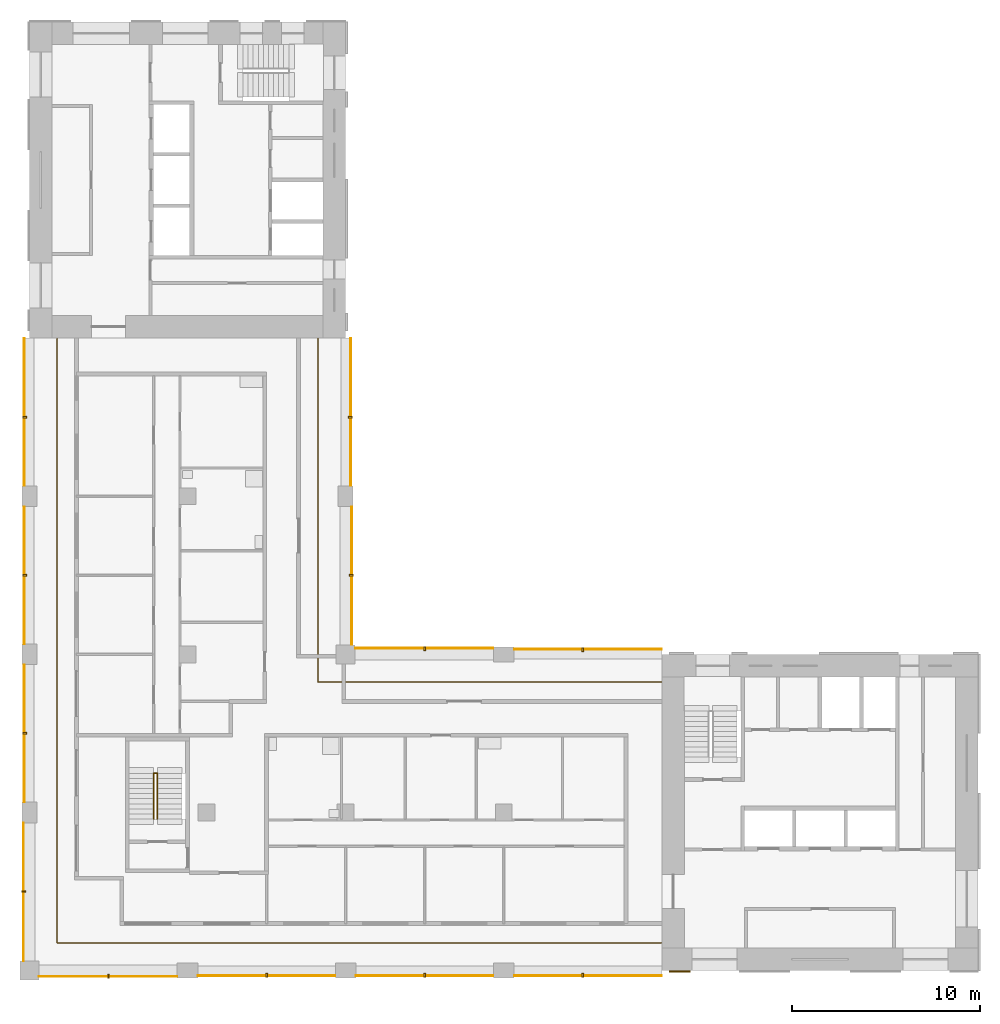
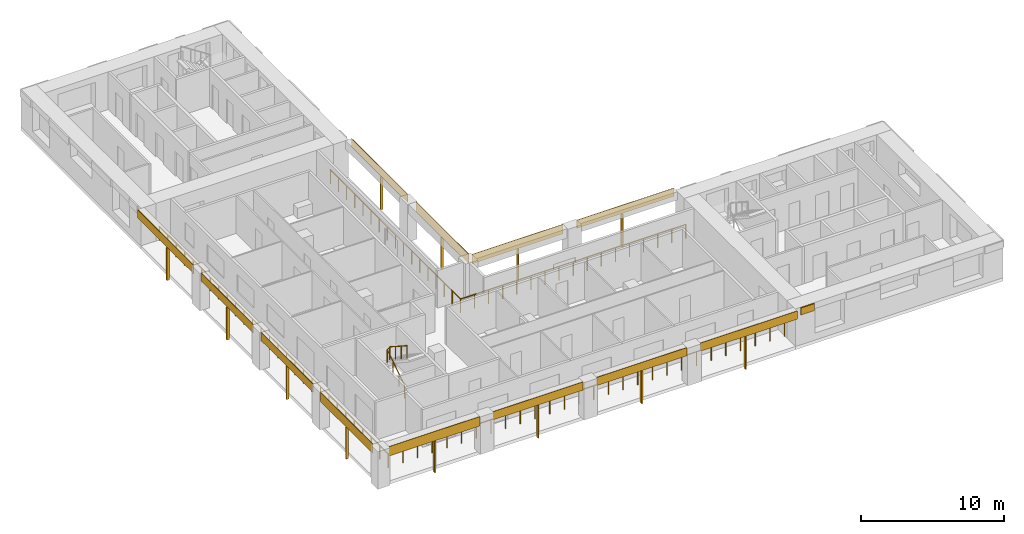
# One storey, part 7 of 9: 25 shading devices, 3 railings.
"""IFC4 building model written with IfcOpenShell, lengths in metres."""

from ifc_helpers import new_model, si_unit, direction, frame, origin, origin_2d, place, context, subcontext, project, spatial, rectangle, circle, extrude, material, layer, layer_set, material_profile, profile_set, type_object, element, save


model = new_model("IFC4")

# Units and contexts
model_context = context("Model", 3, precision=1e-05, world=origin(), true_north=direction((0.0, 1.0)))
body_context = subcontext(model_context, "Body", "Model", "MODEL_VIEW")
ifc_project = project(units=[si_unit("LENGTHUNIT", "METRE"), si_unit("AREAUNIT", "SQUARE_METRE"), si_unit("VOLUMEUNIT", "CUBIC_METRE"), si_unit("PLANEANGLEUNIT", "RADIAN"), si_unit("MASSUNIT", "GRAM", prefix="KILO")], contexts=[model_context])

# Site, building, storey
site_placement = place(None, origin())
site = spatial("IfcSite", under=ifc_project, at=site_placement, CompositionType="ELEMENT")
building_placement = place(site_placement, origin())
building = spatial("IfcBuilding", under=site, at=building_placement, Name="Vermilion Gate Residences", CompositionType="ELEMENT")
storey_placement = place(building_placement, frame((0.0, 0.0, 245.699951171875)))
storey = spatial("IfcBuildingStorey", under=building, at=storey_placement, Name="L64", CompositionType="ELEMENT", Elevation=245.699951171875)

# Railings
ifc_material_1 = material(Name="Stainless steel and toughened glass", Category="steel")
railing_type_1 = type_object("IfcRailingType", Name="LOGGIA GUARD STEEL AND GLASS 1200", PredefinedType="GUARDRAIL", material=ifc_material_1)
railing_1_placement = place(storey_placement, frame((41.97802734375, 23.72509765625, 0.0)))
element("IfcRailing", 1, at=railing_1_placement, inside=storey, type_object=railing_type_1, Name="Loggia guard", PredefinedType="GUARDRAIL", context=body_context, shape_type="SweptSolid", body=[
    extrude(circle(Radius=0.030029296875, at=origin_2d()), frame((0.0, 0.0, 1.169921875), z_axis=(-1.0, 0.0, 0.0), x_axis=(0.0, -1.0, 0.0)), (0.0, 0.0, 1.0), 18.2529296875),
    extrude(circle(Radius=0.030029296875, at=origin_2d()), frame((-18.2529296875, 0.0, 1.169921875), z_axis=(0.0, 1.0, 0.0), x_axis=(-1.0, 0.0, 0.0)), (0.0, 0.0, 1.0), 18.2529296875),
    extrude(circle(Radius=0.02490234375, at=origin_2d()), origin(), (0.0, 0.0, 1.0), 1.139892578125),
    extrude(circle(Radius=0.02490234375, at=origin_2d()), frame((-1.140869140625, 0.0, 0.0)), (0.0, 0.0, 1.0), 1.139892578125),
    extrude(circle(Radius=0.02490234375, at=origin_2d()), frame((-2.28173828125, 0.0, 0.0)), (0.0, 0.0, 1.0), 1.139892578125),
    extrude(circle(Radius=0.02490234375, at=origin_2d()), frame((-3.42236328125, 0.0, 0.0)), (0.0, 0.0, 1.0), 1.139892578125),
    extrude(circle(Radius=0.02490234375, at=origin_2d()), frame((-4.563232421875, 0.0, 0.0)), (0.0, 0.0, 1.0), 1.139892578125),
    extrude(circle(Radius=0.02490234375, at=origin_2d()), frame((-5.7041015625, 0.0, 0.0)), (0.0, 0.0, 1.0), 1.139892578125),
    extrude(circle(Radius=0.02490234375, at=origin_2d()), frame((-6.8447265625, 0.0, 0.0)), (0.0, 0.0, 1.0), 1.139892578125),
    extrude(circle(Radius=0.02490234375, at=origin_2d()), frame((-7.985595703125, 0.0, 0.0)), (0.0, 0.0, 1.0), 1.139892578125),
    extrude(circle(Radius=0.02490234375, at=origin_2d()), frame((-9.12646484375, 0.0, 0.0)), (0.0, 0.0, 1.0), 1.139892578125),
    extrude(circle(Radius=0.02490234375, at=origin_2d()), frame((-10.267333984375, 0.0, 0.0)), (0.0, 0.0, 1.0), 1.139892578125),
    extrude(circle(Radius=0.02490234375, at=origin_2d()), frame((-11.408203125, 0.0, 0.0)), (0.0, 0.0, 1.0), 1.139892578125),
    extrude(circle(Radius=0.02490234375, at=origin_2d()), frame((-12.548828125, 0.0, 0.0)), (0.0, 0.0, 1.0), 1.139892578125),
    extrude(circle(Radius=0.02490234375, at=origin_2d()), frame((-13.689697265625, 0.0, 0.0)), (0.0, 0.0, 1.0), 1.139892578125),
    extrude(circle(Radius=0.02490234375, at=origin_2d()), frame((-14.83056640625, 0.0, 0.0)), (0.0, 0.0, 1.0), 1.139892578125),
    extrude(circle(Radius=0.02490234375, at=origin_2d()), frame((-15.97119140625, 0.0, 0.0)), (0.0, 0.0, 1.0), 1.139892578125),
    extrude(circle(Radius=0.02490234375, at=origin_2d()), frame((-17.112060546875, 0.0, 0.0)), (0.0, 0.0, 1.0), 1.139892578125),
    extrude(circle(Radius=0.02490234375, at=origin_2d()), frame((-18.2529296875, 0.0, 0.0)), (0.0, 0.0, 1.0), 1.139892578125),
    extrude(circle(Radius=0.02490234375, at=origin_2d()), frame((-18.2529296875, 1.140869140625, 0.0)), (0.0, 0.0, 1.0), 1.139892578125),
    extrude(circle(Radius=0.02490234375, at=origin_2d()), frame((-18.2529296875, 2.28173828125, 0.0)), (0.0, 0.0, 1.0), 1.139892578125),
    extrude(circle(Radius=0.02490234375, at=origin_2d()), frame((-18.2529296875, 3.42236328125, 0.0)), (0.0, 0.0, 1.0), 1.139892578125),
    extrude(circle(Radius=0.02490234375, at=origin_2d()), frame((-18.2529296875, 4.563232421875, 0.0)), (0.0, 0.0, 1.0), 1.139892578125),
    extrude(circle(Radius=0.02490234375, at=origin_2d()), frame((-18.2529296875, 5.7041015625, 0.0)), (0.0, 0.0, 1.0), 1.139892578125),
    extrude(circle(Radius=0.02490234375, at=origin_2d()), frame((-18.2529296875, 6.8447265625, 0.0)), (0.0, 0.0, 1.0), 1.139892578125),
    extrude(circle(Radius=0.02490234375, at=origin_2d()), frame((-18.2529296875, 7.985595703125, 0.0)), (0.0, 0.0, 1.0), 1.139892578125),
    extrude(circle(Radius=0.02490234375, at=origin_2d()), frame((-18.2529296875, 9.12646484375, 0.0)), (0.0, 0.0, 1.0), 1.139892578125),
    extrude(circle(Radius=0.02490234375, at=origin_2d()), frame((-18.2529296875, 10.267333984375, 0.0)), (0.0, 0.0, 1.0), 1.139892578125),
    extrude(circle(Radius=0.02490234375, at=origin_2d()), frame((-18.2529296875, 11.408203125, 0.0)), (0.0, 0.0, 1.0), 1.139892578125),
    extrude(circle(Radius=0.02490234375, at=origin_2d()), frame((-18.2529296875, 12.548828125, 0.0)), (0.0, 0.0, 1.0), 1.139892578125),
    extrude(circle(Radius=0.02490234375, at=origin_2d()), frame((-18.2529296875, 13.689697265625, 0.0)), (0.0, 0.0, 1.0), 1.139892578125),
    extrude(circle(Radius=0.02490234375, at=origin_2d()), frame((-18.2529296875, 14.83056640625, 0.0)), (0.0, 0.0, 1.0), 1.139892578125),
    extrude(circle(Radius=0.02490234375, at=origin_2d()), frame((-18.2529296875, 15.97119140625, 0.0)), (0.0, 0.0, 1.0), 1.139892578125),
    extrude(circle(Radius=0.02490234375, at=origin_2d()), frame((-18.2529296875, 17.112060546875, 0.0)), (0.0, 0.0, 1.0), 1.139892578125),
    extrude(circle(Radius=0.02490234375, at=origin_2d()), frame((-18.2529296875, 18.2529296875, 0.0)), (0.0, 0.0, 1.0), 1.139892578125),
])
railing_2_placement = place(storey_placement, frame((9.875, 41.97802734375, 0.0)))
element("IfcRailing", 2, at=railing_2_placement, inside=storey, type_object=railing_type_1, Name="Loggia guard", PredefinedType="GUARDRAIL", context=body_context, shape_type="SweptSolid", body=[
    extrude(circle(Radius=0.030029296875, at=origin_2d()), frame((0.0, 0.0, 1.169921875), z_axis=(0.0, -1.0, 0.0), x_axis=(1.0, 0.0, 0.0)), (0.0, 0.0, 1.0), 32.10302734375),
    extrude(circle(Radius=0.030029296875, at=origin_2d()), frame((0.0, -32.10302734375, 1.169921875), z_axis=(1.0, 0.0, 0.0), x_axis=(0.0, 1.0, 0.0)), (0.0, 0.0, 1.0), 32.10302734375),
    extrude(circle(Radius=0.02490234375, at=origin_2d()), origin(), (0.0, 0.0, 1.0), 1.139892578125),
    extrude(circle(Radius=0.02490234375, at=origin_2d()), frame((0.0, -1.18896484375, 0.0)), (0.0, 0.0, 1.0), 1.139892578125),
    extrude(circle(Radius=0.02490234375, at=origin_2d()), frame((0.0, -2.3779296875, 0.0)), (0.0, 0.0, 1.0), 1.139892578125),
    extrude(circle(Radius=0.02490234375, at=origin_2d()), frame((0.0, -3.56689453125, 0.0)), (0.0, 0.0, 1.0), 1.139892578125),
    extrude(circle(Radius=0.02490234375, at=origin_2d()), frame((0.0, -4.756103515625, 0.0)), (0.0, 0.0, 1.0), 1.139892578125),
    extrude(circle(Radius=0.02490234375, at=origin_2d()), frame((0.0, -5.945068359375, 0.0)), (0.0, 0.0, 1.0), 1.139892578125),
    extrude(circle(Radius=0.02490234375, at=origin_2d()), frame((0.0, -7.134033203125, 0.0)), (0.0, 0.0, 1.0), 1.139892578125),
    extrude(circle(Radius=0.02490234375, at=origin_2d()), frame((0.0, -8.322998046875, 0.0)), (0.0, 0.0, 1.0), 1.139892578125),
    extrude(circle(Radius=0.02490234375, at=origin_2d()), frame((0.0, -9.511962890625, 0.0)), (0.0, 0.0, 1.0), 1.139892578125),
    extrude(circle(Radius=0.02490234375, at=origin_2d()), frame((0.0, -10.700927734375, 0.0)), (0.0, 0.0, 1.0), 1.139892578125),
    extrude(circle(Radius=0.02490234375, at=origin_2d()), frame((0.0, -11.889892578125, 0.0)), (0.0, 0.0, 1.0), 1.139892578125),
    extrude(circle(Radius=0.02490234375, at=origin_2d()), frame((0.0, -13.0791015625, 0.0)), (0.0, 0.0, 1.0), 1.139892578125),
    extrude(circle(Radius=0.02490234375, at=origin_2d()), frame((0.0, -14.26806640625, 0.0)), (0.0, 0.0, 1.0), 1.139892578125),
    extrude(circle(Radius=0.02490234375, at=origin_2d()), frame((0.0, -15.45703125, 0.0)), (0.0, 0.0, 1.0), 1.139892578125),
    extrude(circle(Radius=0.02490234375, at=origin_2d()), frame((0.0, -16.64599609375, 0.0)), (0.0, 0.0, 1.0), 1.139892578125),
    extrude(circle(Radius=0.02490234375, at=origin_2d()), frame((0.0, -17.8349609375, 0.0)), (0.0, 0.0, 1.0), 1.139892578125),
    extrude(circle(Radius=0.02490234375, at=origin_2d()), frame((0.0, -19.02392578125, 0.0)), (0.0, 0.0, 1.0), 1.139892578125),
    extrude(circle(Radius=0.02490234375, at=origin_2d()), frame((0.0, -20.213134765625, 0.0)), (0.0, 0.0, 1.0), 1.139892578125),
    extrude(circle(Radius=0.02490234375, at=origin_2d()), frame((0.0, -21.402099609375, 0.0)), (0.0, 0.0, 1.0), 1.139892578125),
    extrude(circle(Radius=0.02490234375, at=origin_2d()), frame((0.0, -22.591064453125, 0.0)), (0.0, 0.0, 1.0), 1.139892578125),
    extrude(circle(Radius=0.02490234375, at=origin_2d()), frame((0.0, -23.780029296875, 0.0)), (0.0, 0.0, 1.0), 1.139892578125),
    extrude(circle(Radius=0.02490234375, at=origin_2d()), frame((0.0, -24.968994140625, 0.0)), (0.0, 0.0, 1.0), 1.139892578125),
    extrude(circle(Radius=0.02490234375, at=origin_2d()), frame((0.0, -26.157958984375, 0.0)), (0.0, 0.0, 1.0), 1.139892578125),
    extrude(circle(Radius=0.02490234375, at=origin_2d()), frame((0.0, -27.346923828125, 0.0)), (0.0, 0.0, 1.0), 1.139892578125),
    extrude(circle(Radius=0.02490234375, at=origin_2d()), frame((0.0, -28.5361328125, 0.0)), (0.0, 0.0, 1.0), 1.139892578125),
    extrude(circle(Radius=0.02490234375, at=origin_2d()), frame((0.0, -29.72509765625, 0.0)), (0.0, 0.0, 1.0), 1.139892578125),
    extrude(circle(Radius=0.02490234375, at=origin_2d()), frame((0.0, -30.9140625, 0.0)), (0.0, 0.0, 1.0), 1.139892578125),
    extrude(circle(Radius=0.02490234375, at=origin_2d()), frame((0.0, -32.10302734375, 0.0)), (0.0, 0.0, 1.0), 1.139892578125),
    extrude(circle(Radius=0.02490234375, at=origin_2d()), frame((1.18896484375, -32.10302734375, 0.0)), (0.0, 0.0, 1.0), 1.139892578125),
    extrude(circle(Radius=0.02490234375, at=origin_2d()), frame((2.3779296875, -32.10302734375, 0.0)), (0.0, 0.0, 1.0), 1.139892578125),
    extrude(circle(Radius=0.02490234375, at=origin_2d()), frame((3.56689453125, -32.10302734375, 0.0)), (0.0, 0.0, 1.0), 1.139892578125),
    extrude(circle(Radius=0.02490234375, at=origin_2d()), frame((4.756103515625, -32.10302734375, 0.0)), (0.0, 0.0, 1.0), 1.139892578125),
    extrude(circle(Radius=0.02490234375, at=origin_2d()), frame((5.945068359375, -32.10302734375, 0.0)), (0.0, 0.0, 1.0), 1.139892578125),
    extrude(circle(Radius=0.02490234375, at=origin_2d()), frame((7.134033203125, -32.10302734375, 0.0)), (0.0, 0.0, 1.0), 1.139892578125),
    extrude(circle(Radius=0.02490234375, at=origin_2d()), frame((8.322998046875, -32.10302734375, 0.0)), (0.0, 0.0, 1.0), 1.139892578125),
    extrude(circle(Radius=0.02490234375, at=origin_2d()), frame((9.511962890625, -32.10302734375, 0.0)), (0.0, 0.0, 1.0), 1.139892578125),
    extrude(circle(Radius=0.02490234375, at=origin_2d()), frame((10.700927734375, -32.10302734375, 0.0)), (0.0, 0.0, 1.0), 1.139892578125),
    extrude(circle(Radius=0.02490234375, at=origin_2d()), frame((11.889892578125, -32.10302734375, 0.0)), (0.0, 0.0, 1.0), 1.139892578125),
    extrude(circle(Radius=0.02490234375, at=origin_2d()), frame((13.0791015625, -32.10302734375, 0.0)), (0.0, 0.0, 1.0), 1.139892578125),
    extrude(circle(Radius=0.02490234375, at=origin_2d()), frame((14.26806640625, -32.10302734375, 0.0)), (0.0, 0.0, 1.0), 1.139892578125),
    extrude(circle(Radius=0.02490234375, at=origin_2d()), frame((15.45703125, -32.10302734375, 0.0)), (0.0, 0.0, 1.0), 1.139892578125),
    extrude(circle(Radius=0.02490234375, at=origin_2d()), frame((16.64599609375, -32.10302734375, 0.0)), (0.0, 0.0, 1.0), 1.139892578125),
    extrude(circle(Radius=0.02490234375, at=origin_2d()), frame((17.8349609375, -32.10302734375, 0.0)), (0.0, 0.0, 1.0), 1.139892578125),
    extrude(circle(Radius=0.02490234375, at=origin_2d()), frame((19.02392578125, -32.10302734375, 0.0)), (0.0, 0.0, 1.0), 1.139892578125),
    extrude(circle(Radius=0.02490234375, at=origin_2d()), frame((20.213134765625, -32.10302734375, 0.0)), (0.0, 0.0, 1.0), 1.139892578125),
    extrude(circle(Radius=0.02490234375, at=origin_2d()), frame((21.402099609375, -32.10302734375, 0.0)), (0.0, 0.0, 1.0), 1.139892578125),
    extrude(circle(Radius=0.02490234375, at=origin_2d()), frame((22.591064453125, -32.10302734375, 0.0)), (0.0, 0.0, 1.0), 1.139892578125),
    extrude(circle(Radius=0.02490234375, at=origin_2d()), frame((23.780029296875, -32.10302734375, 0.0)), (0.0, 0.0, 1.0), 1.139892578125),
    extrude(circle(Radius=0.02490234375, at=origin_2d()), frame((24.968994140625, -32.10302734375, 0.0)), (0.0, 0.0, 1.0), 1.139892578125),
    extrude(circle(Radius=0.02490234375, at=origin_2d()), frame((26.157958984375, -32.10302734375, 0.0)), (0.0, 0.0, 1.0), 1.139892578125),
    extrude(circle(Radius=0.02490234375, at=origin_2d()), frame((27.346923828125, -32.10302734375, 0.0)), (0.0, 0.0, 1.0), 1.139892578125),
    extrude(circle(Radius=0.02490234375, at=origin_2d()), frame((28.5361328125, -32.10302734375, 0.0)), (0.0, 0.0, 1.0), 1.139892578125),
    extrude(circle(Radius=0.02490234375, at=origin_2d()), frame((29.72509765625, -32.10302734375, 0.0)), (0.0, 0.0, 1.0), 1.139892578125),
    extrude(circle(Radius=0.02490234375, at=origin_2d()), frame((30.9140625, -32.10302734375, 0.0)), (0.0, 0.0, 1.0), 1.139892578125),
    extrude(circle(Radius=0.02490234375, at=origin_2d()), frame((32.10302734375, -32.10302734375, 0.0)), (0.0, 0.0, 1.0), 1.139892578125),
])

# Shading devices
ifc_material_2 = material(Name="Perforated terracotta", Category="masonry")
ifc_layer_1 = layer(ifc_material_2, 0.0400390625)
ifc_layer_set_1 = layer_set([ifc_layer_1], Name="PERFORATED TERRACOTTA SCREEN 40")
shading_device_type_1 = type_object("IfcShadingDeviceType", Name="PERFORATED TERRACOTTA SCREEN 40", PredefinedType="SHUTTER", material=ifc_layer_set_1)
shading_device_1_placement = place(storey_placement, frame((12.574951171875, 8.080078125, 2.419921875), z_axis=(0.0, 0.0, 1.0), x_axis=(1.0, 0.0, 0.0)))
element("IfcShadingDevice", 3, at=shading_device_1_placement, inside=storey, type_object=shading_device_type_1, Name="SCREEN", PredefinedType="SHUTTER", context=body_context, shape_type="SweptSolid", body=[
    extrude(rectangle(XDim=7.35009765625, YDim=0.0400390625, at=origin_2d()), origin(), (0.0, 0.0, 1.0), 0.800048828125),
])
for number, where, z_axis, x_axis, name in (
    (4, (21.0, 8.1298828125, 2.52001953125), (0.0, 0.0, 1.0), (1.0, 0.0, 0.0), "SCREEN"),
    (5, (29.39990234375, 8.1298828125, 2.52001953125), (0.0, 0.0, 1.0), (1.0, 0.0, 0.0), "SCREEN"),
):
    element("IfcShadingDevice", number, at=place(storey_placement, frame(where, z_axis=z_axis, x_axis=x_axis)), inside=storey, type_object=shading_device_type_1, Name=name, PredefinedType="SHUTTER", context=body_context, shape_type="SweptSolid", body=[
        extrude(rectangle(XDim=7.300048828125, YDim=0.0400390625, at=origin_2d()), origin(), (0.0, 0.0, 1.0), 0.699951171875),
    ])
shading_device_2_placement = place(storey_placement, frame((38.074951171875, 8.1298828125, 2.52001953125), z_axis=(0.0, 0.0, 1.0), x_axis=(1.0, 0.0, 0.0)))
element("IfcShadingDevice", 6, at=shading_device_2_placement, inside=storey, type_object=shading_device_type_1, Name="SCREEN", PredefinedType="SHUTTER", context=body_context, shape_type="SweptSolid", body=[
    extrude(rectangle(XDim=7.85009765625, YDim=0.0400390625, at=origin_2d()), origin(), (0.0, 0.0, 1.0), 0.699951171875),
])
shading_device_3_placement = place(storey_placement, frame((29.375, 25.52001953125, 2.419921875), z_axis=(0.0, 0.0, 1.0), x_axis=(-1.0, 0.0, 0.0)))
element("IfcShadingDevice", 7, at=shading_device_3_placement, inside=storey, type_object=shading_device_type_1, Name="SCREEN", PredefinedType="SHUTTER", context=body_context, shape_type="SweptSolid", body=[
    extrude(rectangle(XDim=7.35009765625, YDim=0.0400390625, at=origin_2d()), origin(), (0.0, 0.0, 1.0), 0.800048828125),
])
shading_device_4_placement = place(storey_placement, frame((38.074951171875, 25.469970703125, 2.52001953125), z_axis=(0.0, 0.0, 1.0), x_axis=(-1.0, 0.0, 0.0)))
element("IfcShadingDevice", 8, at=shading_device_4_placement, inside=storey, type_object=shading_device_type_1, Name="SCREEN", PredefinedType="SHUTTER", context=body_context, shape_type="SweptSolid", body=[
    extrude(rectangle(XDim=7.85009765625, YDim=0.0400390625, at=origin_2d()), origin(), (0.0, 0.0, 1.0), 0.699951171875),
])
shading_device_5_placement = place(storey_placement, frame((25.52001953125, 29.375, 2.419921875), z_axis=(0.0, 0.0, 1.0), x_axis=(0.0, 1.0, 0.0)))
element("IfcShadingDevice", 9, at=shading_device_5_placement, inside=storey, type_object=shading_device_type_1, Name="SCREEN", PredefinedType="SHUTTER", context=body_context, shape_type="SweptSolid", body=[
    extrude(rectangle(XDim=7.35009765625, YDim=0.0400390625, at=origin_2d()), origin(), (0.0, 0.0, 1.0), 0.800048828125),
])
shading_device_6_placement = place(storey_placement, frame((25.469970703125, 38.074951171875, 2.52001953125), z_axis=(0.0, 0.0, 1.0), x_axis=(0.0, 1.0, 0.0)))
element("IfcShadingDevice", 10, at=shading_device_6_placement, inside=storey, type_object=shading_device_type_1, Name="SCREEN", PredefinedType="SHUTTER", context=body_context, shape_type="SweptSolid", body=[
    extrude(rectangle(XDim=7.85009765625, YDim=0.0400390625, at=origin_2d()), origin(), (0.0, 0.0, 1.0), 0.699951171875),
])
shading_device_7_placement = place(storey_placement, frame((8.080078125, 12.574951171875, 2.419921875), z_axis=(0.0, 0.0, 1.0), x_axis=(0.0, -1.0, 0.0)))
element("IfcShadingDevice", 11, at=shading_device_7_placement, inside=storey, type_object=shading_device_type_1, Name="SCREEN", PredefinedType="SHUTTER", context=body_context, shape_type="SweptSolid", body=[
    extrude(rectangle(XDim=7.35009765625, YDim=0.0400390625, at=origin_2d()), origin(), (0.0, 0.0, 1.0), 0.800048828125),
])
for number, where, z_axis, x_axis, name in (
    (12, (8.1298828125, 21.0, 2.52001953125), (0.0, 0.0, 1.0), (0.0, -1.0, 0.0), "SCREEN"),
    (13, (8.1298828125, 29.39990234375, 2.52001953125), (0.0, 0.0, 1.0), (0.0, -1.0, 0.0), "SCREEN"),
):
    element("IfcShadingDevice", number, at=place(storey_placement, frame(where, z_axis=z_axis, x_axis=x_axis)), inside=storey, type_object=shading_device_type_1, Name=name, PredefinedType="SHUTTER", context=body_context, shape_type="SweptSolid", body=[
        extrude(rectangle(XDim=7.300048828125, YDim=0.0400390625, at=origin_2d()), origin(), (0.0, 0.0, 1.0), 0.699951171875),
    ])
shading_device_8_placement = place(storey_placement, frame((8.1298828125, 38.074951171875, 2.52001953125), z_axis=(0.0, 0.0, 1.0), x_axis=(0.0, -1.0, 0.0)))
element("IfcShadingDevice", 14, at=shading_device_8_placement, inside=storey, type_object=shading_device_type_1, Name="SCREEN", PredefinedType="SHUTTER", context=body_context, shape_type="SweptSolid", body=[
    extrude(rectangle(XDim=7.85009765625, YDim=0.0400390625, at=origin_2d()), origin(), (0.0, 0.0, 1.0), 0.699951171875),
])

# Railing
ifc_material_3 = material(Name="Steel S355", Category="steel")
railing_type_2 = type_object("IfcRailingType", Name="STAIR GUARD 1100 STEEL", PredefinedType="GUARDRAIL", material=ifc_material_3)
railing_3_placement = place(storey_placement, frame((15.0, 16.449951171875, 0.175048828125)))
element("IfcRailing", 15, at=railing_3_placement, inside=storey, type_object=railing_type_2, Name="Stair well guard STC1-64", PredefinedType="GUARDRAIL", context=body_context, shape_type="SweptSolid", body=[
    extrude(circle(Radius=0.02392578125, at=origin_2d()), frame((0.0, 0.0, 1.076171875), z_axis=(0.0, 0.839153699163, 0.543894354798), x_axis=(-1.0, 0.0, 0.0)), (0.0, 0.0, 1.0), 2.895751953125),
    extrude(circle(Radius=0.02392578125, at=origin_2d()), frame((0.0, 2.429931640625, 2.65087890625), z_axis=(0.752405939678, 0.0, 0.658699705433), x_axis=(0.0, 1.0, 0.0)), (0.0, 0.0, 1.0), 0.265869140625),
    extrude(circle(Radius=0.02392578125, at=origin_2d()), frame((0.199951171875, 2.429931640625, 2.826171875), z_axis=(0.0, -0.839153699163, 0.543894354798), x_axis=(1.0, 0.0, 0.0)), (0.0, 0.0, 1.0), 2.895751953125),
    extrude(circle(Radius=0.02099609375, at=origin_2d()), origin(), (0.0, 0.0, 1.0), 1.052001953125),
    extrude(circle(Radius=0.02099609375, at=origin_2d()), frame((0.0, 0.81005859375, 0.52490234375)), (0.0, 0.0, 1.0), 1.052001953125),
    extrude(circle(Radius=0.02099609375, at=origin_2d()), frame((0.0, 1.619873046875, 1.050048828125)), (0.0, 0.0, 1.0), 1.052001953125),
    extrude(circle(Radius=0.02099609375, at=origin_2d()), frame((0.0, 2.429931640625, 1.574951171875)), (0.0, 0.0, 1.0), 1.052001953125),
    extrude(circle(Radius=0.02099609375, at=origin_2d()), frame((0.199951171875, 2.429931640625, 1.75)), (0.0, 0.0, 1.0), 1.052001953125),
    extrude(circle(Radius=0.02099609375, at=origin_2d()), frame((0.199951171875, 1.619873046875, 2.27490234375)), (0.0, 0.0, 1.0), 1.052001953125),
    extrude(circle(Radius=0.02099609375, at=origin_2d()), frame((0.199951171875, 0.81005859375, 2.800048828125)), (0.0, 0.0, 1.0), 1.052001953125),
    extrude(circle(Radius=0.02099609375, at=origin_2d()), frame((0.199951171875, 0.0, 3.324951171875)), (0.0, 0.0, 1.0), 1.052001953125),
])

# Shading devices
ifc_material_4 = material(Name="Extruded terracotta", Category="masonry")
ifc_material_profile = material_profile(ifc_material_4, rectangle(XDim=0.199951171875, YDim=0.10009765625, at=origin_2d()), Name="BAGUETTE 100 X 200")
ifc_profile_set = profile_set([ifc_material_profile], Name="Extruded terracotta")
shading_device_type_2 = type_object("IfcShadingDeviceType", Name="TERRACOTTA BAGUETTE 100 X 200", PredefinedType="JALOUSIE", material=ifc_profile_set)
shading_device_9_placement = place(storey_placement, frame((12.60009765625, 8.10009765625, -0.280029296875), z_axis=(0.0, 0.0, 1.0), x_axis=(0.0, 1.0, 0.0)))
element("IfcShadingDevice", 16, at=shading_device_9_placement, inside=storey, type_object=shading_device_type_2, Name="BAGUETTE", PredefinedType="JALOUSIE", context=body_context, shape_type="SweptSolid", body=[
    extrude(rectangle(XDim=0.199951171875, YDim=0.10009765625, at=origin_2d()), origin(), (0.0, 0.0, 1.0), 2.7001953125),
])
for number, where, z_axis, x_axis, name in (
    (17, (21.0, 8.14990234375, -0.280029296875), (0.0, 0.0, 1.0), (0.0, 1.0, 0.0), "BAGUETTE"),
    (18, (29.39990234375, 8.14990234375, -0.280029296875), (0.0, 0.0, 1.0), (0.0, 1.0, 0.0), "BAGUETTE"),
    (19, (37.800048828125, 8.14990234375, -0.280029296875), (0.0, 0.0, 1.0), (0.0, 1.0, 0.0), "BAGUETTE"),
):
    element("IfcShadingDevice", number, at=place(storey_placement, frame(where, z_axis=z_axis, x_axis=x_axis)), inside=storey, type_object=shading_device_type_2, Name=name, PredefinedType="JALOUSIE", context=body_context, shape_type="SweptSolid", body=[
        extrude(rectangle(XDim=0.199951171875, YDim=0.10009765625, at=origin_2d()), origin(), (0.0, 0.0, 1.0), 2.800048828125),
    ])
shading_device_10_placement = place(storey_placement, frame((29.39990234375, 25.5, -0.280029296875), z_axis=(0.0, 0.0, 1.0), x_axis=(0.0, -1.0, 0.0)))
element("IfcShadingDevice", 20, at=shading_device_10_placement, inside=storey, type_object=shading_device_type_2, Name="BAGUETTE", PredefinedType="JALOUSIE", context=body_context, shape_type="SweptSolid", body=[
    extrude(rectangle(XDim=0.199951171875, YDim=0.10009765625, at=origin_2d()), origin(), (0.0, 0.0, 1.0), 2.7001953125),
])
shading_device_11_placement = place(storey_placement, frame((37.800048828125, 25.449951171875, -0.280029296875), z_axis=(0.0, 0.0, 1.0), x_axis=(0.0, -1.0, 0.0)))
element("IfcShadingDevice", 21, at=shading_device_11_placement, inside=storey, type_object=shading_device_type_2, Name="BAGUETTE", PredefinedType="JALOUSIE", context=body_context, shape_type="SweptSolid", body=[
    extrude(rectangle(XDim=0.199951171875, YDim=0.10009765625, at=origin_2d()), origin(), (0.0, 0.0, 1.0), 2.800048828125),
])
shading_device_12_placement = place(storey_placement, frame((25.5, 29.39990234375, -0.280029296875), z_axis=(0.0, 0.0, 1.0), x_axis=(-1.0, 0.0, 0.0)))
element("IfcShadingDevice", 22, at=shading_device_12_placement, inside=storey, type_object=shading_device_type_2, Name="BAGUETTE", PredefinedType="JALOUSIE", context=body_context, shape_type="SweptSolid", body=[
    extrude(rectangle(XDim=0.199951171875, YDim=0.10009765625, at=origin_2d()), origin(), (0.0, 0.0, 1.0), 2.7001953125),
])
shading_device_13_placement = place(storey_placement, frame((25.449951171875, 37.800048828125, -0.280029296875), z_axis=(0.0, 0.0, 1.0), x_axis=(-1.0, 0.0, 0.0)))
element("IfcShadingDevice", 23, at=shading_device_13_placement, inside=storey, type_object=shading_device_type_2, Name="BAGUETTE", PredefinedType="JALOUSIE", context=body_context, shape_type="SweptSolid", body=[
    extrude(rectangle(XDim=0.199951171875, YDim=0.10009765625, at=origin_2d()), origin(), (0.0, 0.0, 1.0), 2.800048828125),
])
shading_device_14_placement = place(storey_placement, frame((8.10009765625, 12.60009765625, -0.280029296875), z_axis=(0.0, 0.0, 1.0), x_axis=(1.0, 0.0, 0.0)))
element("IfcShadingDevice", 24, at=shading_device_14_placement, inside=storey, type_object=shading_device_type_2, Name="BAGUETTE", PredefinedType="JALOUSIE", context=body_context, shape_type="SweptSolid", body=[
    extrude(rectangle(XDim=0.199951171875, YDim=0.10009765625, at=origin_2d()), origin(), (0.0, 0.0, 1.0), 2.7001953125),
])
for number, where, z_axis, x_axis, name in (
    (25, (8.14990234375, 21.0, -0.280029296875), (0.0, 0.0, 1.0), (1.0, 0.0, 0.0), "BAGUETTE"),
    (26, (8.14990234375, 29.39990234375, -0.280029296875), (0.0, 0.0, 1.0), (1.0, 0.0, 0.0), "BAGUETTE"),
    (27, (8.14990234375, 37.800048828125, -0.280029296875), (0.0, 0.0, 1.0), (1.0, 0.0, 0.0), "BAGUETTE"),
):
    element("IfcShadingDevice", number, at=place(storey_placement, frame(where, z_axis=z_axis, x_axis=x_axis)), inside=storey, type_object=shading_device_type_2, Name=name, PredefinedType="JALOUSIE", context=body_context, shape_type="SweptSolid", body=[
        extrude(rectangle(XDim=0.199951171875, YDim=0.10009765625, at=origin_2d()), origin(), (0.0, 0.0, 1.0), 2.800048828125),
    ])
ifc_material_5 = material(Name="Extruded terracotta", Category="masonry")
ifc_layer_2 = layer(ifc_material_5, 0.10009765625)
ifc_layer_set_2 = layer_set([ifc_layer_2], Name="TERRACOTTA SPANDREL BAND 600 X 100")
shading_device_type_3 = type_object("IfcShadingDeviceType", Name="TERRACOTTA SPANDREL BAND 600 X 100", PredefinedType="USERDEFINED", material=ifc_layer_set_2)
shading_device_15_placement = place(storey_placement, frame((42.949951171875, 8.35009765625, 2.6201171875), z_axis=(0.0, 0.0, 1.0), x_axis=(1.0, 0.0, 0.0)))
element("IfcShadingDevice", 28, at=shading_device_15_placement, inside=storey, type_object=shading_device_type_3, Name="SPANDREL BAND", ObjectType="BAND", PredefinedType="USERDEFINED", context=body_context, shape_type="SweptSolid", body=[
    extrude(rectangle(XDim=1.10009765625, YDim=0.10009765625, at=origin_2d()), origin(), (0.0, 0.0, 1.0), 0.60009765625),
])

save(model, "model.ifc")
